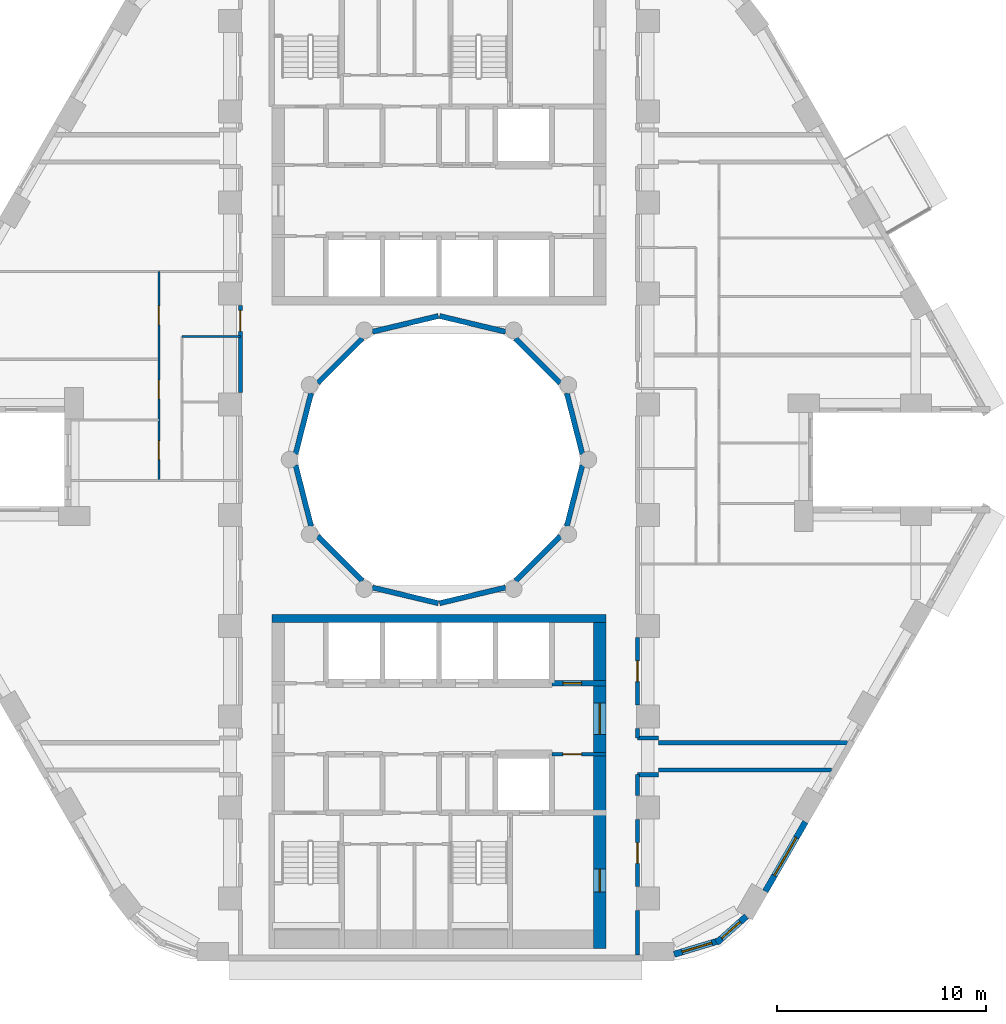
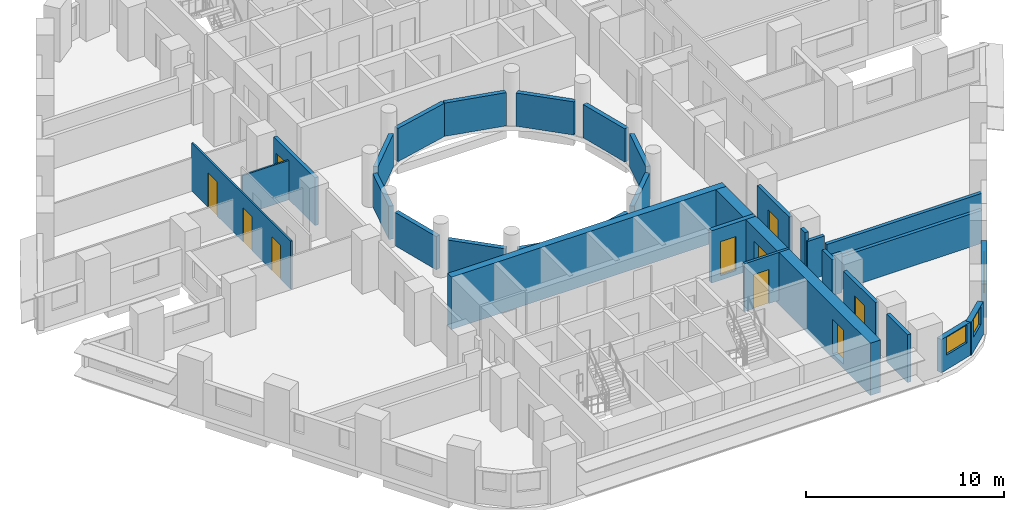
# One storey, part 5 of 13: 31 walls, 10 doors, 3 windows, 13 openings.
"""IFC4 building model written with IfcOpenShell, lengths in metres."""

from ifc_helpers import new_model, si_unit, direction, frame, frame_2d, origin, place, context, subcontext, project, spatial, rectangle, extrude, material, layer, layer_set, type_object, element, fill, save


model = new_model("IFC4")

# Units and contexts
model_context = context("Model", 3, precision=1e-05, world=origin(), true_north=direction((0.0, 1.0)))
body_context = subcontext(model_context, "Body", "Model", "MODEL_VIEW")
ifc_project = project(units=[si_unit("LENGTHUNIT", "METRE"), si_unit("AREAUNIT", "SQUARE_METRE"), si_unit("VOLUMEUNIT", "CUBIC_METRE"), si_unit("PLANEANGLEUNIT", "RADIAN"), si_unit("MASSUNIT", "GRAM", prefix="KILO")], contexts=[model_context])

# Site, building, storey
site_placement = place(None, origin())
site = spatial("IfcSite", under=ifc_project, at=site_placement, CompositionType="ELEMENT")
building_placement = place(site_placement, origin())
building = spatial("IfcBuilding", under=site, at=building_placement, Name="Nakaniwa Court", CompositionType="ELEMENT")
storey_placement = place(building_placement, frame((0.0, 0.0, 67.800048828125)))
storey = spatial("IfcBuildingStorey", under=building, at=storey_placement, Name="L18", CompositionType="ELEMENT", Elevation=67.800048828125)

# Wall
ifc_material_1 = material(Name="Acoustic double stud partition")
ifc_layer_1 = layer(ifc_material_1, 0.199951171875)
ifc_layer_set_1 = layer_set([ifc_layer_1], Name="Acoustic double stud partition")
wall_type_1 = type_object("IfcWallType", Name="Acoustic double stud partition 200", PredefinedType="PARTITIONING", material=ifc_layer_set_1)
wall_1_placement = place(storey_placement, frame((89.5, 56.300048828125, 0.0), z_axis=(0.0, 0.0, 1.0), x_axis=(0.0, 1.0, 0.0)))
element("IfcWall", 1, at=wall_1_placement, inside=storey, type_object=wall_type_1, Name="Partition PW-071", PredefinedType="PARTITIONING", context=body_context, shape_type="SweptSolid", body=[
    extrude(rectangle(XDim=2.133056640625, YDim=0.199951171875, at=frame_2d((1.06640625, 0.0))), origin(), (0.0, 0.0, 1.0), 2.949951171875),
])

# Wall, opening, door
wall_2_placement = place(storey_placement, frame((89.5, 62.782958984375, 0.0), z_axis=(0.0, 0.0, 1.0), x_axis=(0.0, -1.0, 0.0)))
wall_2 = element("IfcWall", 2, at=wall_2_placement, inside=storey, type_object=wall_type_1, Name="Partition PW-072", PredefinedType="PARTITIONING", context=body_context, shape_type="SweptSolid", body=[
    extrude(rectangle(XDim=3.216064453125, YDim=0.199951171875, at=frame_2d((1.60791015625, 0.0))), origin(), (0.0, 0.0, 1.0), 2.949951171875),
])
opening_1_placement = place(wall_2_placement, frame((1.10791015625, 0.0, 0.0)))
opening_1 = element("IfcOpeningElement", 3, at=opening_1_placement, cuts=wall_2, Name="Opening D-02-01", PredefinedType="OPENING", context=body_context, shape_type="SweptSolid", body=[
    extrude(rectangle(XDim=1.0, YDim=2.10009765625, at=frame_2d((0.5, 1.050048828125))), frame((0.0, 0.10986328125, 0.0), z_axis=(0.0, -1.0, 0.0), x_axis=(1.0, 0.0, 0.0)), (0.0, 0.0, 1.0), 0.219970703125),
])
ifc_material_2 = material(Name="Solid core timber door set, black veneer", Category="wood")
door_type_1 = type_object("IfcDoorType", Name="Internal door 1000", OperationType="NOTDEFINED", PredefinedType="DOOR", material=ifc_material_2)
door_1_placement = place(opening_1_placement, origin())
door_1 = element("IfcDoor", 4, at=door_1_placement, inside=storey, type_object=door_type_1, Name="Door D-02-01 L18-029", OperationType="SINGLE_SWING_RIGHT", OverallHeight=2.10009765625, OverallWidth=1.0, PredefinedType="DOOR", context=body_context, shape_type="SweptSolid", body=[
    extrude(rectangle(XDim=1.0, YDim=2.10009765625, at=frame_2d((0.5, 1.050048828125))), frame((0.0, 0.02490234375, 0.0), z_axis=(0.0, -1.0, 0.0), x_axis=(1.0, 0.0, 0.0)), (0.0, 0.0, 1.0), 0.050048828125),
])
fill(opening_1, door_1)

# Walls
wall_3_placement = place(storey_placement, frame((89.5, 63.9169921875, 0.0), z_axis=(0.0, 0.0, 1.0), x_axis=(0.0, 1.0, 0.0)))
element("IfcWall", 5, at=wall_3_placement, inside=storey, type_object=wall_type_1, Name="Partition PW-073", PredefinedType="PARTITIONING", context=body_context, shape_type="SweptSolid", body=[
    extrude(rectangle(XDim=1.010986328125, YDim=0.199951171875, at=frame_2d((0.50537109375, 0.0))), origin(), (0.0, 0.0, 1.0), 2.949951171875),
])
wall_4_placement = place(storey_placement, frame((89.5, 66.672119140625, 0.0), z_axis=(0.0, 0.0, 1.0), x_axis=(0.0, 1.0, 0.0)))
element("IfcWall", 6, at=wall_4_placement, inside=storey, type_object=wall_type_1, Name="Partition PW-074", PredefinedType="PARTITIONING", context=body_context, shape_type="SweptSolid", body=[
    extrude(rectangle(XDim=0.4609375, YDim=0.199951171875, at=frame_2d((0.23046875, 0.0))), origin(), (0.0, 0.0, 1.0), 2.949951171875),
])

# Wall, opening, door
wall_5_placement = place(storey_placement, frame((89.5, 71.48291015625, 0.0), z_axis=(0.0, 0.0, 1.0), x_axis=(0.0, -1.0, 0.0)))
wall_5 = element("IfcWall", 7, at=wall_5_placement, inside=storey, type_object=wall_type_1, Name="Partition PW-075", PredefinedType="PARTITIONING", context=body_context, shape_type="SweptSolid", body=[
    extrude(rectangle(XDim=3.2158203125, YDim=0.199951171875, at=frame_2d((1.60791015625, 0.0))), origin(), (0.0, 0.0, 1.0), 2.949951171875),
])
opening_2_placement = place(wall_5_placement, frame((1.10791015625, 0.0, 0.0)))
opening_2 = element("IfcOpeningElement", 8, at=opening_2_placement, cuts=wall_5, Name="Opening D-02-02", PredefinedType="OPENING", context=body_context, shape_type="SweptSolid", body=[
    extrude(rectangle(XDim=1.0, YDim=2.10009765625, at=frame_2d((0.5, 1.050048828125))), frame((0.0, 0.10986328125, 0.0), z_axis=(0.0, -1.0, 0.0), x_axis=(1.0, 0.0, 0.0)), (0.0, 0.0, 1.0), 0.219970703125),
])
door_2_placement = place(opening_2_placement, origin())
door_2 = element("IfcDoor", 9, at=door_2_placement, inside=storey, type_object=door_type_1, Name="Door D-02-02 L18-030", OperationType="SINGLE_SWING_LEFT", OverallHeight=2.10009765625, OverallWidth=1.0, PredefinedType="DOOR", context=body_context, shape_type="SweptSolid", body=[
    extrude(rectangle(XDim=1.0, YDim=2.10009765625, at=frame_2d((0.5, 1.050048828125))), frame((0.0, 0.02490234375, 0.0), z_axis=(0.0, -1.0, 0.0), x_axis=(1.0, 0.0, 0.0)), (0.0, 0.0, 1.0), 0.050048828125),
])
fill(opening_2, door_2)

# Walls
wall_6_placement = place(storey_placement, frame((90.5, 65.14990234375, 0.0), z_axis=(0.0, 0.0, 1.0), x_axis=(1.0, 0.0, 0.0)))
element("IfcWall", 10, at=wall_6_placement, inside=storey, type_object=wall_type_1, Name="Partition PW-093", PredefinedType="PARTITIONING", context=body_context, shape_type="SweptSolid", body=[
    extrude(rectangle(XDim=8.292724609375, YDim=0.199951171875, at=frame_2d((4.146484375, 0.0))), origin(), (0.0, 0.0, 1.0), 2.030029296875),
])
for number, where, z_axis, x_axis, name in (
    (11, (89.5, 64.925048828125, 0.0), (0.0, 0.0, 1.0), (1.0, 0.0, 0.0), "Partition PW-095"),
    (12, (89.5, 66.675048828125, 0.0), (0.0, 0.0, 1.0), (1.0, 0.0, 0.0), "Partition PW-097"),
):
    element("IfcWall", number, at=place(storey_placement, frame(where, z_axis=z_axis, x_axis=x_axis)), inside=storey, type_object=wall_type_1, Name=name, PredefinedType="PARTITIONING", context=body_context, shape_type="SweptSolid", body=[
        extrude(rectangle(XDim=1.0, YDim=0.199951171875, at=frame_2d((0.5, 0.0))), origin(), (0.0, 0.0, 1.0), 2.429931640625),
    ])
wall_7_placement = place(storey_placement, frame((90.5, 66.449951171875, 0.0), z_axis=(0.0, 0.0, 1.0), x_axis=(1.0, 0.0, 0.0)))
element("IfcWall", 13, at=wall_7_placement, inside=storey, type_object=wall_type_1, Name="Partition PW-099", PredefinedType="PARTITIONING", context=body_context, shape_type="SweptSolid", body=[
    extrude(rectangle(XDim=9.043212890625, YDim=0.199951171875, at=frame_2d((4.521484375, 0.0))), origin(), (0.0, 0.0, 1.0), 2.030029296875),
])

# Wall, opening, door
wall_8_placement = place(storey_placement, frame((70.5, 83.217041015625, 0.0), z_axis=(0.0, 0.0, 1.0), x_axis=(0.0, 1.0, 0.0)))
wall_8 = element("IfcWall", 14, at=wall_8_placement, inside=storey, type_object=wall_type_1, Name="Partition PW-107", PredefinedType="PARTITIONING", context=body_context, shape_type="SweptSolid", body=[
    extrude(rectangle(XDim=4.166015625, YDim=0.199951171875, at=frame_2d((2.0830078125, 0.0))), origin(), (0.0, 0.0, 1.0), 2.949951171875),
])
opening_3_placement = place(wall_8_placement, frame((2.923095703125, 0.0, 0.0)))
opening_3 = element("IfcOpeningElement", 15, at=opening_3_placement, cuts=wall_8, Name="Opening D-01-02", PredefinedType="OPENING", context=body_context, shape_type="SweptSolid", body=[
    extrude(rectangle(XDim=1.0, YDim=2.10009765625, at=frame_2d((0.5, 1.050048828125))), frame((0.0, 0.10986328125, 0.0), z_axis=(0.0, -1.0, 0.0), x_axis=(1.0, 0.0, 0.0)), (0.0, 0.0, 1.0), 0.219970703125),
])
door_type_2 = type_object("IfcDoorType", Name="Flat entrance door 1000", OperationType="NOTDEFINED", PredefinedType="DOOR", material=ifc_material_2)
door_3_placement = place(opening_3_placement, origin())
door_3 = element("IfcDoor", 16, at=door_3_placement, inside=storey, type_object=door_type_2, Name="Door D-01-02 L18-046", OperationType="SINGLE_SWING_LEFT", OverallHeight=2.10009765625, OverallWidth=1.0, PredefinedType="DOOR", context=body_context, shape_type="SweptSolid", body=[
    extrude(rectangle(XDim=1.0, YDim=2.10009765625, at=frame_2d((0.5, 1.050048828125))), frame((0.0, 0.02490234375, 0.0), z_axis=(0.0, -1.0, 0.0), x_axis=(1.0, 0.0, 0.0)), (0.0, 0.0, 1.0), 0.050048828125),
])
fill(opening_3, door_3)

# Wall, opening, window
ifc_material_3 = material(Name="Charcoal ceramic cladding")
ifc_layer_2 = layer(ifc_material_3, 0.02, Name="Ceramic cladding")
ifc_material_4 = material(Name="Ventilated air cavity")
ifc_layer_3 = layer(ifc_material_4, 0.04, ventilated=True, Name="Ventilated cavity")
ifc_material_5 = material(Name="Mineral wool insulation")
ifc_layer_4 = layer(ifc_material_5, 0.1, Name="Insulation")
ifc_material_6 = material(Name="Cement bonded sheathing board")
ifc_layer_5 = layer(ifc_material_6, 0.012, Name="Sheathing")
ifc_material_7 = material(Name="Cold-formed galvanised stud frame with mineral wool infill")
ifc_layer_6 = layer(ifc_material_7, 0.1, Name="Stud frame")
ifc_material_8 = material(Name="Fire-rated gypsum plasterboard lining")
ifc_layer_7 = layer(ifc_material_8, 0.028, Name="Lining")
ifc_layer_set_2 = layer_set([ifc_layer_2, ifc_layer_3, ifc_layer_4, ifc_layer_5, ifc_layer_6, ifc_layer_7], Name="Charcoal ceramic faced external wall system")
wall_type_2 = type_object("IfcWallType", Name="Black ceramic faced external wall 300", PredefinedType="SOLIDWALL", material=ifc_layer_set_2)
wall_9_placement = place(storey_placement, frame((91.25341796875, 56.331298828125, 0.0), z_axis=(0.0, 0.0, 1.0), x_axis=(0.957433631901, 0.288653495569, 0.0)))
wall_9 = element("IfcWall", 17, at=wall_9_placement, inside=storey, type_object=wall_type_2, Name="L18 external wall 27", PredefinedType="SOLIDWALL", context=body_context, shape_type="SweptSolid", body=[
    extrude(rectangle(XDim=2.212646484375, YDim=0.300048828125, at=frame_2d((1.1064453125, 0.0))), origin(), (0.0, 0.0, 1.0), 2.050048828125),
])
opening_4_placement = place(wall_9_placement, frame((0.394287109375, 0.0, 0.89990234375)))
opening_4 = element("IfcOpeningElement", 18, at=opening_4_placement, cuts=wall_9, Name="Opening W5.29", PredefinedType="OPENING", context=body_context, shape_type="SweptSolid", body=[
    extrude(rectangle(XDim=1.5, YDim=1.10009765625, at=frame_2d((0.75, 0.550048828125))), frame((0.0, 0.159912109375, 0.0), z_axis=(0.0, -1.0, 0.0), x_axis=(1.0, 0.0, 0.0)), (0.0, 0.0, 1.0), 0.320068359375),
])
ifc_material_9 = material(Name="Black anodised aluminium frame with dark low-E laminated double glazing", Category="aluminium")
window_type_1 = type_object("IfcWindowType", Name="Dark glass window 1500x1100 sill 900", PartitioningType="SINGLE_PANEL", PredefinedType="WINDOW", material=ifc_material_9)
window_1_placement = place(opening_4_placement, origin())
window_1 = element("IfcWindow", 19, at=window_1_placement, inside=storey, type_object=window_type_1, Name="L18 habitable room window 27-0", OverallHeight=1.10009765625, OverallWidth=1.5, PartitioningType="SINGLE_PANEL", PredefinedType="WINDOW", context=body_context, shape_type="SweptSolid", body=[
    extrude(rectangle(XDim=1.5, YDim=1.10009765625, at=frame_2d((0.75, 0.550048828125))), frame((0.0, 0.030029296875, 0.0), z_axis=(0.0, -1.0, 0.0), x_axis=(1.0, 0.0, 0.0)), (0.0, 0.0, 1.0), 0.06005859375),
])
fill(opening_4, window_1)

wall_10_placement = place(storey_placement, frame((93.288818359375, 56.882568359375, 0.0), z_axis=(0.0, 0.0, 1.0), x_axis=(0.746941556212, 0.664889698825, 0.0)))
wall_10 = element("IfcWall", 20, at=wall_10_placement, inside=storey, type_object=wall_type_2, Name="L18 external wall 28", PredefinedType="SOLIDWALL", context=body_context, shape_type="SweptSolid", body=[
    extrude(rectangle(XDim=1.9013671875, YDim=0.300048828125, at=frame_2d((0.95068359375, 0.0))), origin(), (0.0, 0.0, 1.0), 2.050048828125),
])
opening_5_placement = place(wall_10_placement, frame((0.31005859375, 0.0, 0.89990234375)))
opening_5 = element("IfcOpeningElement", 21, at=opening_5_placement, cuts=wall_10, Name="Opening W6.30", PredefinedType="OPENING", context=body_context, shape_type="SweptSolid", body=[
    extrude(rectangle(XDim=1.199951171875, YDim=1.10009765625, at=frame_2d((0.60009765625, 0.550048828125))), frame((0.0, 0.159912109375, 0.0), z_axis=(0.0, -1.0, 0.0), x_axis=(1.0, 0.0, 0.0)), (0.0, 0.0, 1.0), 0.320068359375),
])
window_type_2 = type_object("IfcWindowType", Name="Dark glass window 1200x1100 sill 900", PartitioningType="SINGLE_PANEL", PredefinedType="WINDOW", material=ifc_material_9)
window_2_placement = place(opening_5_placement, origin())
window_2 = element("IfcWindow", 22, at=window_2_placement, inside=storey, type_object=window_type_2, Name="L18 habitable room window 28-0", OverallHeight=1.10009765625, OverallWidth=1.199951171875, PartitioningType="SINGLE_PANEL", PredefinedType="WINDOW", context=body_context, shape_type="SweptSolid", body=[
    extrude(rectangle(XDim=1.199951171875, YDim=1.10009765625, at=frame_2d((0.60009765625, 0.550048828125))), frame((0.0, 0.030029296875, 0.0), z_axis=(0.0, -1.0, 0.0), x_axis=(1.0, 0.0, 0.0)), (0.0, 0.0, 1.0), 0.06005859375),
])
fill(opening_5, window_2)

wall_11_placement = place(storey_placement, frame((95.615234375, 59.346435546875, 0.0), z_axis=(0.0, 0.0, 1.0), x_axis=(0.499974163209, 0.866040320149, 0.0)))
wall_11 = element("IfcWall", 23, at=wall_11_placement, inside=storey, type_object=wall_type_2, Name="L18 external wall 29", PredefinedType="SOLIDWALL", context=body_context, shape_type="SweptSolid", body=[
    extrude(rectangle(XDim=3.834228515625, YDim=0.300048828125, at=frame_2d((1.9169921875, 0.0))), origin(), (0.0, 0.0, 1.0), 2.050048828125),
])
opening_6_placement = place(wall_11_placement, frame((0.866943359375, 0.0, 0.89990234375)))
opening_6 = element("IfcOpeningElement", 24, at=opening_6_placement, cuts=wall_11, Name="Opening W7.31", PredefinedType="OPENING", context=body_context, shape_type="SweptSolid", body=[
    extrude(rectangle(XDim=2.10009765625, YDim=1.10009765625, at=frame_2d((1.050048828125, 0.550048828125))), frame((0.0, 0.159912109375, 0.0), z_axis=(0.0, -1.0, 0.0), x_axis=(1.0, 0.0, 0.0)), (0.0, 0.0, 1.0), 0.320068359375),
])
window_type_3 = type_object("IfcWindowType", Name="Dark glass window 2100x1100 sill 900", PartitioningType="SINGLE_PANEL", PredefinedType="WINDOW", material=ifc_material_9)
window_3_placement = place(opening_6_placement, origin())
window_3 = element("IfcWindow", 25, at=window_3_placement, inside=storey, type_object=window_type_3, Name="L18 habitable room window 29-0", OverallHeight=1.10009765625, OverallWidth=2.10009765625, PartitioningType="SINGLE_PANEL", PredefinedType="WINDOW", context=body_context, shape_type="SweptSolid", body=[
    extrude(rectangle(XDim=2.10009765625, YDim=1.10009765625, at=frame_2d((1.050048828125, 0.550048828125))), frame((0.0, 0.030029296875, 0.0), z_axis=(0.0, -1.0, 0.0), x_axis=(1.0, 0.0, 0.0)), (0.0, 0.0, 1.0), 0.06005859375),
])
fill(opening_6, window_3)

# Wall, opening, door
ifc_material_10 = material(Name="Blockwork partition", Category="masonry")
ifc_layer_8 = layer(ifc_material_10, 0.14990234375)
ifc_layer_set_3 = layer_set([ifc_layer_8], Name="Blockwork partition")
wall_type_3 = type_object("IfcWallType", Name="Blockwork partition 150", PredefinedType="PARTITIONING", material=ifc_layer_set_3)
wall_12_placement = place(storey_placement, frame((88.0, 65.89990234375, 0.0), z_axis=(0.0, 0.0, 1.0), x_axis=(-1.0, 0.0, 0.0)))
wall_12 = element("IfcWall", 26, at=wall_12_placement, inside=storey, type_object=wall_type_3, Name="Partition PW-053", PredefinedType="PARTITIONING", context=body_context, shape_type="SweptSolid", body=[
    extrude(rectangle(XDim=2.60302734375, YDim=0.14990234375, at=frame_2d((1.301513671875, 0.0))), origin(), (0.0, 0.0, 1.0), 2.949951171875),
])
opening_7_placement = place(wall_12_placement, frame((1.175048828125, 0.0, 0.0)))
opening_7 = element("IfcOpeningElement", 27, at=opening_7_placement, cuts=wall_12, Name="Opening D-05-15", PredefinedType="OPENING", context=body_context, shape_type="SweptSolid", body=[
    extrude(rectangle(XDim=0.89990234375, YDim=2.10009765625, at=frame_2d((0.449951171875, 1.050048828125))), frame((0.0, 0.0849609375, 0.0), z_axis=(0.0, -1.0, 0.0), x_axis=(1.0, 0.0, 0.0)), (0.0, 0.0, 1.0), 0.169921875),
])
ifc_material_11 = material(Name="Fire rated steel door set", Category="steel")
door_type_3 = type_object("IfcDoorType", Name="Service room door 900", OperationType="NOTDEFINED", PredefinedType="DOOR", material=ifc_material_11)
door_4_placement = place(opening_7_placement, origin())
door_4 = element("IfcDoor", 28, at=door_4_placement, inside=storey, type_object=door_type_3, Name="Door D-05-15 L18-022", OperationType="SINGLE_SWING_LEFT", OverallHeight=2.10009765625, OverallWidth=0.89990234375, PredefinedType="DOOR", context=body_context, shape_type="SweptSolid", body=[
    extrude(rectangle(XDim=0.89990234375, YDim=2.10009765625, at=frame_2d((0.449951171875, 1.050048828125))), frame((0.0, 0.02490234375, 0.0), z_axis=(0.0, -1.0, 0.0), x_axis=(1.0, 0.0, 0.0)), (0.0, 0.0, 1.0), 0.050048828125),
])
fill(opening_7, door_4)

# Walls
ifc_layer_9 = layer(ifc_material_3, 0.02, Name="Ceramic cladding")
ifc_layer_10 = layer(ifc_material_4, 0.04, ventilated=True, Name="Ventilated cavity")
ifc_layer_11 = layer(ifc_material_5, 0.075, Name="Insulation")
ifc_layer_12 = layer(ifc_material_6, 0.012, Name="Sheathing")
ifc_layer_13 = layer(ifc_material_7, 0.075, Name="Stud frame")
ifc_layer_14 = layer(ifc_material_8, 0.028, Name="Lining")
ifc_layer_set_4 = layer_set([ifc_layer_9, ifc_layer_10, ifc_layer_11, ifc_layer_12, ifc_layer_13, ifc_layer_14], Name="Charcoal ceramic faced external wall system")
wall_type_4 = type_object("IfcWallType", Name="Charcoal ceramic faced well wall 250", PredefinedType="SOLIDWALL", material=ifc_layer_set_4)
wall_13_placement = place(storey_placement, frame((86.8603515625, 79.72998046875, 0.0), z_axis=(0.0, 0.0, 1.0), x_axis=(-0.247055971283, -0.969001211069, 0.0)))
element("IfcWall", 29, at=wall_13_placement, inside=storey, type_object=wall_type_4, Name="L18 external wall 36", PredefinedType="SOLIDWALL", context=body_context, shape_type="SweptSolid", body=[
    extrude(rectangle(XDim=3.010009765625, YDim=0.25, at=frame_2d((1.5048828125, 0.0))), origin(), (0.0, 0.0, 1.0), 2.050048828125),
])
wall_14_placement = place(storey_placement, frame((85.8056640625, 76.339111328125, 0.0), z_axis=(0.0, 0.0, 1.0), x_axis=(-0.707106781187, -0.707106781187, 0.0)))
element("IfcWall", 30, at=wall_14_placement, inside=storey, type_object=wall_type_4, Name="L18 external wall 37", PredefinedType="SOLIDWALL", context=body_context, shape_type="SweptSolid", body=[
    extrude(rectangle(XDim=3.033203125, YDim=0.25, at=frame_2d((1.5166015625, 0.0))), origin(), (0.0, 0.0, 1.0), 2.050048828125),
])
for number, where, z_axis, x_axis, name in (
    (31, (83.186279296875, 73.880615234375, 0.0), (0.0, 0.0, 1.0), (-0.972773113459, -0.231759508395, 0.0), "L18 external wall 38"),
    (32, (79.970947265625, 73.12841796875, 0.0), (0.0, 0.0, 1.0), (-0.972773113459, 0.231759508395, 0.0), "L18 external wall 39"),
):
    element("IfcWall", number, at=place(storey_placement, frame(where, z_axis=z_axis, x_axis=x_axis)), inside=storey, type_object=wall_type_4, Name=name, PredefinedType="SOLIDWALL", context=body_context, shape_type="SweptSolid", body=[
        extrude(rectangle(XDim=3.24560546875, YDim=0.25, at=frame_2d((1.622802734375, 0.0))), origin(), (0.0, 0.0, 1.0), 2.050048828125),
    ])
wall_15_placement = place(storey_placement, frame((76.339111328125, 74.1943359375, 0.0), z_axis=(0.0, 0.0, 1.0), x_axis=(-0.707106781187, 0.707106781187, 0.0)))
element("IfcWall", 33, at=wall_15_placement, inside=storey, type_object=wall_type_4, Name="L18 external wall 40", PredefinedType="SOLIDWALL", context=body_context, shape_type="SweptSolid", body=[
    extrude(rectangle(XDim=3.033203125, YDim=0.25, at=frame_2d((1.5166015625, 0.0))), origin(), (0.0, 0.0, 1.0), 2.050048828125),
])
for number, where, z_axis, x_axis, name in (
    (34, (73.88330078125, 76.813232421875, 0.0), (0.0, 0.0, 1.0), (-0.247055971283, 0.969001211069, 0.0), "L18 external wall 41"),
    (35, (73.1396484375, 80.27001953125, 0.0), (0.0, 0.0, 1.0), (0.247055971283, 0.969001211069, 0.0), "L18 external wall 42"),
):
    element("IfcWall", number, at=place(storey_placement, frame(where, z_axis=z_axis, x_axis=x_axis)), inside=storey, type_object=wall_type_4, Name=name, PredefinedType="SOLIDWALL", context=body_context, shape_type="SweptSolid", body=[
        extrude(rectangle(XDim=3.010009765625, YDim=0.25, at=frame_2d((1.5048828125, 0.0))), origin(), (0.0, 0.0, 1.0), 2.050048828125),
    ])
wall_16_placement = place(storey_placement, frame((74.1943359375, 83.660888671875, 0.0), z_axis=(0.0, 0.0, 1.0), x_axis=(0.707106781187, 0.707106781187, 0.0)))
element("IfcWall", 36, at=wall_16_placement, inside=storey, type_object=wall_type_4, Name="L18 external wall 43", PredefinedType="SOLIDWALL", context=body_context, shape_type="SweptSolid", body=[
    extrude(rectangle(XDim=3.033203125, YDim=0.25, at=frame_2d((1.5166015625, 0.0))), origin(), (0.0, 0.0, 1.0), 2.050048828125),
])
for number, where, z_axis, x_axis, name in (
    (37, (76.813720703125, 86.119384765625, 0.0), (0.0, 0.0, 1.0), (0.972773113459, 0.231759508395, 0.0), "L18 external wall 44"),
    (38, (80.029052734375, 86.87158203125, 0.0), (0.0, 0.0, 1.0), (0.972773113459, -0.231759508395, 0.0), "L18 external wall 45"),
):
    element("IfcWall", number, at=place(storey_placement, frame(where, z_axis=z_axis, x_axis=x_axis)), inside=storey, type_object=wall_type_4, Name=name, PredefinedType="SOLIDWALL", context=body_context, shape_type="SweptSolid", body=[
        extrude(rectangle(XDim=3.24560546875, YDim=0.25, at=frame_2d((1.622802734375, 0.0))), origin(), (0.0, 0.0, 1.0), 2.050048828125),
    ])
wall_17_placement = place(storey_placement, frame((83.660888671875, 85.8056640625, 0.0), z_axis=(0.0, 0.0, 1.0), x_axis=(0.707106781187, -0.707106781187, 0.0)))
element("IfcWall", 39, at=wall_17_placement, inside=storey, type_object=wall_type_4, Name="L18 external wall 46", PredefinedType="SOLIDWALL", context=body_context, shape_type="SweptSolid", body=[
    extrude(rectangle(XDim=3.033203125, YDim=0.25, at=frame_2d((1.5166015625, 0.0))), origin(), (0.0, 0.0, 1.0), 2.050048828125),
])
wall_18_placement = place(storey_placement, frame((86.11669921875, 83.186767578125, 0.0), z_axis=(0.0, 0.0, 1.0), x_axis=(0.247055971283, -0.969001211069, 0.0)))
element("IfcWall", 40, at=wall_18_placement, inside=storey, type_object=wall_type_4, Name="L18 external wall 47", PredefinedType="SOLIDWALL", context=body_context, shape_type="SweptSolid", body=[
    extrude(rectangle(XDim=3.010009765625, YDim=0.25, at=frame_2d((1.5048828125, 0.0))), origin(), (0.0, 0.0, 1.0), 2.050048828125),
])

# Wall, openings, doors
ifc_material_12 = material(Name="Concrete C100/115", Category="concrete")
ifc_layer_15 = layer(ifc_material_12, 0.60009765625)
ifc_layer_set_5 = layer_set([ifc_layer_15], Name="Concrete C100/115")
wall_type_5 = type_object("IfcWallType", Name="Concrete core side wall 600 C100", PredefinedType="SHEAR", material=ifc_layer_set_5)
wall_19_placement = place(storey_placement, frame((87.699951171875, 72.199951171875, -0.275146484375), z_axis=(0.0, 0.0, 1.0), x_axis=(0.0, -1.0, 0.0)))
wall_19 = element("IfcWall", 41, at=wall_19_placement, inside=storey, type_object=wall_type_5, Name="Core wall SW-50", PredefinedType="SHEAR", context=body_context, shape_type="SweptSolid", body=[
    extrude(rectangle(XDim=15.599853515625, YDim=0.60009765625, at=frame_2d((7.7998046875, 0.0))), origin(), (0.0, 0.0, 1.0), 3.22509765625),
])
opening_8_placement = place(wall_19_placement, frame((3.85009765625, 0.0, 0.27490234375)))
opening_8 = element("IfcOpeningElement", 42, at=opening_8_placement, cuts=wall_19, Name="Opening D-07-03", PredefinedType="OPENING", context=body_context, shape_type="SweptSolid", body=[
    extrude(rectangle(XDim=1.5, YDim=2.10009765625, at=frame_2d((0.75, 1.050048828125))), frame((0.0, 0.31005859375, 0.0), z_axis=(0.0, -1.0, 0.0), x_axis=(1.0, 0.0, 0.0)), (0.0, 0.0, 1.0), 0.6201171875),
])
opening_9_placement = place(wall_19_placement, frame((11.800048828125, 0.0, 0.27490234375)))
opening_9 = element("IfcOpeningElement", 43, at=opening_9_placement, cuts=wall_19, Name="Opening D-10-02", PredefinedType="OPENING", context=body_context, shape_type="SweptSolid", body=[
    extrude(rectangle(XDim=1.10009765625, YDim=2.10009765625, at=frame_2d((0.550048828125, 1.050048828125))), frame((0.0, 0.31005859375, 0.0), z_axis=(0.0, -1.0, 0.0), x_axis=(1.0, 0.0, 0.0)), (0.0, 0.0, 1.0), 0.6201171875),
])
door_type_4 = type_object("IfcDoorType", Name="Firefighting lobby door 1100", OperationType="NOTDEFINED", PredefinedType="DOOR", material=ifc_material_11)
door_5_placement = place(opening_9_placement, origin())
door_5 = element("IfcDoor", 44, at=door_5_placement, inside=storey, type_object=door_type_4, Name="Door D-10-02 L18-059", OperationType="SINGLE_SWING_RIGHT", OverallHeight=2.10009765625, OverallWidth=1.10009765625, PredefinedType="DOOR", context=body_context, shape_type="SweptSolid", body=[
    extrude(rectangle(XDim=1.10009765625, YDim=2.10009765625, at=frame_2d((0.550048828125, 1.050048828125))), frame((0.0, 0.02490234375, 0.0), z_axis=(0.0, -1.0, 0.0), x_axis=(1.0, 0.0, 0.0)), (0.0, 0.0, 1.0), 0.050048828125),
])
fill(opening_9, door_5)
ifc_material_13 = material(Name="Glazed fire rated steel double door set", Category="steel")
door_type_5 = type_object("IfcDoorType", Name="Lobby double door 1500", OperationType="NOTDEFINED", PredefinedType="DOOR", material=ifc_material_13)
door_6_placement = place(opening_8_placement, origin())
door_6 = element("IfcDoor", 45, at=door_6_placement, inside=storey, type_object=door_type_5, Name="Door D-07-03 L18-057", OperationType="DOUBLE_DOOR_SINGLE_SWING", OverallHeight=2.10009765625, OverallWidth=1.5, PredefinedType="DOOR", context=body_context, shape_type="SweptSolid", body=[
    extrude(rectangle(XDim=1.5, YDim=2.10009765625, at=frame_2d((0.75, 1.050048828125))), frame((0.0, 0.02490234375, 0.0), z_axis=(0.0, -1.0, 0.0), x_axis=(1.0, 0.0, 0.0)), (0.0, 0.0, 1.0), 0.050048828125),
])
fill(opening_8, door_6)

# Wall
ifc_layer_16 = layer(ifc_material_12, 0.39990234375)
ifc_layer_set_6 = layer_set([ifc_layer_16], Name="Concrete C100/115")
wall_type_6 = type_object("IfcWallType", Name="Concrete core well wall 400 C100", PredefinedType="SHEAR", material=ifc_layer_set_6)
wall_20_placement = place(storey_placement, frame((72.00390625, 72.39990234375, -0.275146484375), z_axis=(0.0, 0.0, 1.0), x_axis=(1.0, 0.0, 0.0)))
element("IfcWall", 46, at=wall_20_placement, inside=storey, type_object=wall_type_6, Name="Core wall SW-136", PredefinedType="SHEAR", context=body_context, shape_type="SweptSolid", body=[
    extrude(rectangle(XDim=15.9921875, YDim=0.39990234375, at=frame_2d((7.99609375, 0.0))), origin(), (0.0, 0.0, 1.0), 3.22509765625),
])

# Wall, opening, door
ifc_layer_17 = layer(ifc_material_12, 0.25)
ifc_layer_set_7 = layer_set([ifc_layer_17], Name="Concrete C100/115")
wall_type_7 = type_object("IfcWallType", Name="Concrete shaft wall 250 C100", PredefinedType="SHEAR", material=ifc_layer_set_7)
wall_21_placement = place(storey_placement, frame((85.39990234375, 69.300048828125, -0.275146484375), z_axis=(0.0, 0.0, 1.0), x_axis=(1.0, 0.0, 0.0)))
wall_21 = element("IfcWall", 47, at=wall_21_placement, inside=storey, type_object=wall_type_7, Name="Core wall SW-49", PredefinedType="SHEAR", context=body_context, shape_type="SweptSolid", body=[
    extrude(rectangle(XDim=2.60009765625, YDim=0.25, at=frame_2d((1.300048828125, 0.0))), origin(), (0.0, 0.0, 1.0), 3.22509765625),
])
opening_10_placement = place(wall_21_placement, frame((0.52490234375, 0.0, 0.27490234375)))
opening_10 = element("IfcOpeningElement", 48, at=opening_10_placement, cuts=wall_21, Name="Opening D-05-11", PredefinedType="OPENING", context=body_context, shape_type="SweptSolid", body=[
    extrude(rectangle(XDim=0.89990234375, YDim=2.10009765625, at=frame_2d((0.449951171875, 1.050048828125))), frame((0.0, 0.135009765625, 0.0), z_axis=(0.0, -1.0, 0.0), x_axis=(1.0, 0.0, 0.0)), (0.0, 0.0, 1.0), 0.27001953125),
])
door_7_placement = place(opening_10_placement, origin())
door_7 = element("IfcDoor", 49, at=door_7_placement, inside=storey, type_object=door_type_3, Name="Door D-05-11 L18-016", OperationType="SINGLE_SWING_LEFT", OverallHeight=2.10009765625, OverallWidth=0.89990234375, PredefinedType="DOOR", context=body_context, shape_type="SweptSolid", body=[
    extrude(rectangle(XDim=0.89990234375, YDim=2.10009765625, at=frame_2d((0.449951171875, 1.050048828125))), frame((0.0, 0.02490234375, 0.0), z_axis=(0.0, -1.0, 0.0), x_axis=(1.0, 0.0, 0.0)), (0.0, 0.0, 1.0), 0.050048828125),
])
fill(opening_10, door_7)

# Wall
ifc_material_14 = material(Name="Single stud plasterboard partition")
ifc_layer_18 = layer(ifc_material_14, 0.10009765625)
ifc_layer_set_8 = layer_set([ifc_layer_18], Name="Single stud plasterboard partition")
wall_type_8 = type_object("IfcWallType", Name="Single stud plasterboard partition 100", PredefinedType="PARTITIONING", material=ifc_layer_set_8)
wall_22_placement = place(storey_placement, frame((67.699951171875, 85.89990234375, 0.0), z_axis=(0.0, 0.0, 1.0), x_axis=(1.0, 0.0, 0.0)))
element("IfcWall", 50, at=wall_22_placement, inside=storey, type_object=wall_type_8, Name="Partition PW-129", PredefinedType="PARTITIONING", context=body_context, shape_type="SweptSolid", body=[
    extrude(rectangle(XDim=2.800048828125, YDim=0.10009765625, at=frame_2d((1.39990234375, 0.0))), origin(), (0.0, 0.0, 1.0), 2.429931640625),
])

# Wall, openings, doors
wall_23_placement = place(storey_placement, frame((66.60009765625, 79.0, 0.0), z_axis=(0.0, 0.0, 1.0), x_axis=(0.0, 1.0, 0.0)))
wall_23 = element("IfcWall", 51, at=wall_23_placement, inside=storey, type_object=wall_type_8, Name="Partition PW-130", PredefinedType="PARTITIONING", context=body_context, shape_type="SweptSolid", body=[
    extrude(rectangle(XDim=10.0, YDim=0.10009765625, at=frame_2d((5.0, 0.0))), origin(), (0.0, 0.0, 1.0), 2.949951171875),
])
opening_11_placement = place(wall_23_placement, frame((1.001953125, 0.0, 0.0)))
opening_11 = element("IfcOpeningElement", 52, at=opening_11_placement, cuts=wall_23, Name="Opening D-33-10", PredefinedType="OPENING", context=body_context, shape_type="SweptSolid", body=[
    extrude(rectangle(XDim=0.89990234375, YDim=2.10009765625, at=frame_2d((0.449951171875, 1.050048828125))), frame((0.0, 0.06005859375, 0.0), z_axis=(0.0, -1.0, 0.0), x_axis=(1.0, 0.0, 0.0)), (0.0, 0.0, 1.0), 0.1201171875),
])
opening_12_placement = place(wall_23_placement, frame((3.905029296875, 0.0, 0.0)))
opening_12 = element("IfcOpeningElement", 53, at=opening_12_placement, cuts=wall_23, Name="Opening D-33-11", PredefinedType="OPENING", context=body_context, shape_type="SweptSolid", body=[
    extrude(rectangle(XDim=0.89990234375, YDim=2.10009765625, at=frame_2d((0.449951171875, 1.050048828125))), frame((0.0, 0.06005859375, 0.0), z_axis=(0.0, -1.0, 0.0), x_axis=(1.0, 0.0, 0.0)), (0.0, 0.0, 1.0), 0.1201171875),
])
opening_13_placement = place(wall_23_placement, frame((7.452880859375, 0.0, 0.0)))
opening_13 = element("IfcOpeningElement", 54, at=opening_13_placement, cuts=wall_23, Name="Opening D-33-12", PredefinedType="OPENING", context=body_context, shape_type="SweptSolid", body=[
    extrude(rectangle(XDim=0.89990234375, YDim=2.10009765625, at=frame_2d((0.449951171875, 1.050048828125))), frame((0.0, 0.06005859375, 0.0), z_axis=(0.0, -1.0, 0.0), x_axis=(1.0, 0.0, 0.0)), (0.0, 0.0, 1.0), 0.1201171875),
])
door_type_6 = type_object("IfcDoorType", Name="Internal door 900", OperationType="NOTDEFINED", PredefinedType="DOOR", material=ifc_material_2)
door_8_placement = place(opening_11_placement, origin())
door_8 = element("IfcDoor", 55, at=door_8_placement, inside=storey, type_object=door_type_6, Name="Door D-33-10 L18-049", OperationType="SINGLE_SWING_RIGHT", OverallHeight=2.10009765625, OverallWidth=0.89990234375, PredefinedType="DOOR", context=body_context, shape_type="SweptSolid", body=[
    extrude(rectangle(XDim=0.89990234375, YDim=2.10009765625, at=frame_2d((0.449951171875, 1.050048828125))), frame((0.0, 0.02490234375, 0.0), z_axis=(0.0, -1.0, 0.0), x_axis=(1.0, 0.0, 0.0)), (0.0, 0.0, 1.0), 0.050048828125),
])
fill(opening_11, door_8)
door_9_placement = place(opening_12_placement, origin())
door_9 = element("IfcDoor", 56, at=door_9_placement, inside=storey, type_object=door_type_6, Name="Door D-33-11 L18-050", OperationType="SINGLE_SWING_LEFT", OverallHeight=2.10009765625, OverallWidth=0.89990234375, PredefinedType="DOOR", context=body_context, shape_type="SweptSolid", body=[
    extrude(rectangle(XDim=0.89990234375, YDim=2.10009765625, at=frame_2d((0.449951171875, 1.050048828125))), frame((0.0, 0.02490234375, 0.0), z_axis=(0.0, -1.0, 0.0), x_axis=(1.0, 0.0, 0.0)), (0.0, 0.0, 1.0), 0.050048828125),
])
fill(opening_12, door_9)
door_10_placement = place(opening_13_placement, origin())
door_10 = element("IfcDoor", 57, at=door_10_placement, inside=storey, type_object=door_type_6, Name="Door D-33-12 L18-051", OperationType="SINGLE_SWING_RIGHT", OverallHeight=2.10009765625, OverallWidth=0.89990234375, PredefinedType="DOOR", context=body_context, shape_type="SweptSolid", body=[
    extrude(rectangle(XDim=0.89990234375, YDim=2.10009765625, at=frame_2d((0.449951171875, 1.050048828125))), frame((0.0, 0.02490234375, 0.0), z_axis=(0.0, -1.0, 0.0), x_axis=(1.0, 0.0, 0.0)), (0.0, 0.0, 1.0), 0.050048828125),
])
fill(opening_13, door_10)

save(model, "model.ifc")
